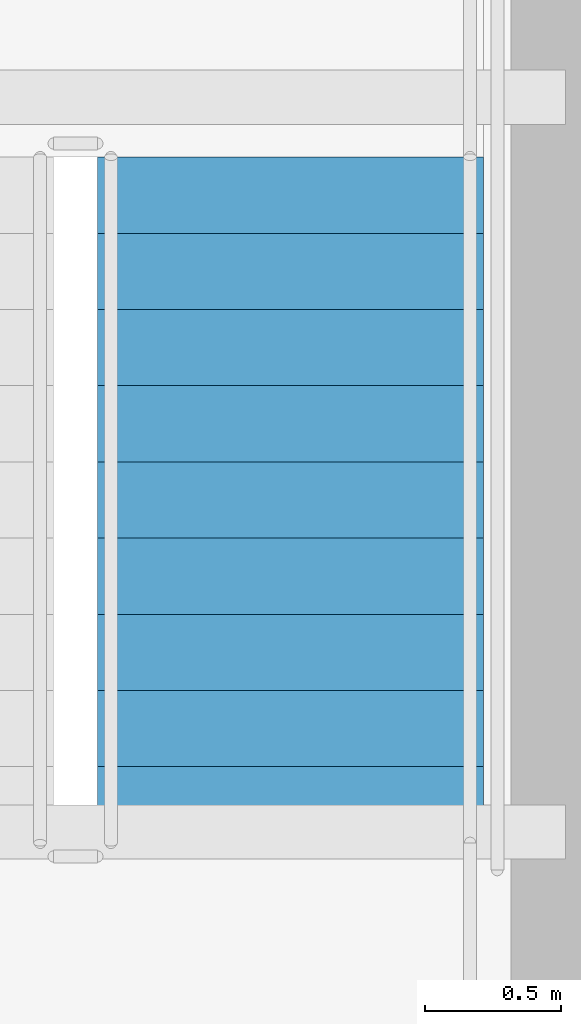
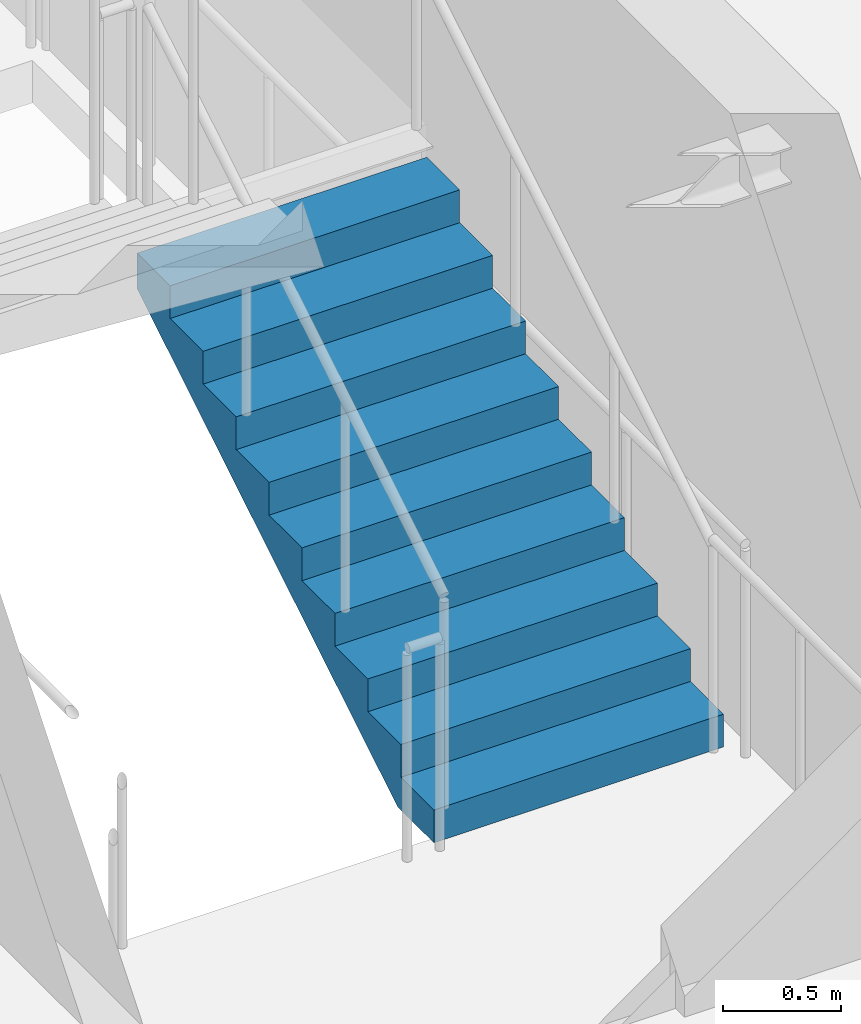
# One storey, part 20 of 24: 1 stair flight, 1 element without a shape of its own.
"""IFC4 building model written with IfcOpenShell, lengths in metres."""

from ifc_helpers import new_model, si_unit, direction, frame, origin, place, context, subcontext, project, spatial, polyline, outline, extrude, material, type_object, element, aggregate, save


model = new_model("IFC4")

# Units and contexts
model_context = context("Model", 3, precision=1e-05, world=origin(), true_north=direction((0.0, 1.0)))
body_context = subcontext(model_context, "Body", "Model", "MODEL_VIEW")
ifc_project = project(units=[si_unit("LENGTHUNIT", "METRE"), si_unit("AREAUNIT", "SQUARE_METRE"), si_unit("VOLUMEUNIT", "CUBIC_METRE"), si_unit("PLANEANGLEUNIT", "RADIAN"), si_unit("MASSUNIT", "GRAM", prefix="KILO")], contexts=[model_context])

# Site, building, storey
site_placement = place(None, origin())
site = spatial("IfcSite", under=ifc_project, at=site_placement, CompositionType="ELEMENT")
building_placement = place(site_placement, origin())
building = spatial("IfcBuilding", under=site, at=building_placement, Name="Yelkora Congress Tower", CompositionType="ELEMENT")
storey_placement = place(building_placement, frame((0.0, 0.0, 296.5)))
storey = spatial("IfcBuildingStorey", under=building, at=storey_placement, Name="L83", CompositionType="ELEMENT", Elevation=296.5)

# Stair, stair flight
ifc_material = material(Name="Concrete C40/50", Category="concrete")
stair_type = type_object("IfcStairType", Name="STAIR-HT-1420-R20-170", PredefinedType="HALF_TURN_STAIR", material=ifc_material)
stair_placement = place(storey_placement, origin())
stair = element("IfcStair", 1, at=stair_placement, inside=storey, type_object=stair_type, Name="East Core Protected Exit Stair ST-02 (L83)", PredefinedType="HALF_TURN_STAIR")
stair_flight_type = type_object("IfcStairFlightType", Name="FLIGHT-1420-N10-R170-G280", PredefinedType="STRAIGHT", material=ifc_material)
stair_flight_placement = place(storey_placement, frame((52.75, 39.60009765625, 0.0), z_axis=(0.0, 0.0, 1.0), x_axis=(0.0, 1.0, 0.0)))
stair_flight = element("IfcStairFlight", 2, at=stair_flight_placement, type_object=stair_flight_type, Name="ST-02 L83 Flight 1", NumberOfRisers=10, NumberOfTreads=9, PredefinedType="STRAIGHT", RiserHeight=0.17, TreadLength=0.28, context=body_context, shape_type="SweptSolid", body=[
    extrude(outline(polyline([(0.0, 0.0), (0.0, 0.169921875), (0.280029296875, 0.169921875), (0.280029296875, 0.340087890625), (0.56005859375, 0.340087890625), (0.56005859375, 0.510009765625), (0.840087890625, 0.510009765625), (0.840087890625, 0.679931640625), (1.1201171875, 0.679931640625), (1.1201171875, 0.85009765625), (1.39990234375, 0.85009765625), (1.39990234375, 1.02001953125), (1.679931640625, 1.02001953125), (1.679931640625, 1.18994140625), (1.9599609375, 1.18994140625), (1.9599609375, 1.360107421875), (2.239990234375, 1.360107421875), (2.239990234375, 1.530029296875), (2.52001953125, 1.530029296875), (2.52001953125, 1.699951171875), (2.52001953125, 1.343017578125), (0.30810546875, 0.0), (0.0, 0.0)])), frame((0.0, 0.7099609375, 0.0), z_axis=(0.0, -1.0, 0.0), x_axis=(1.0, 0.0, 0.0)), (0.0, 0.0, 1.0), 1.419921875),
])
aggregate(stair, [stair_flight])

save(model, "model.ifc")
